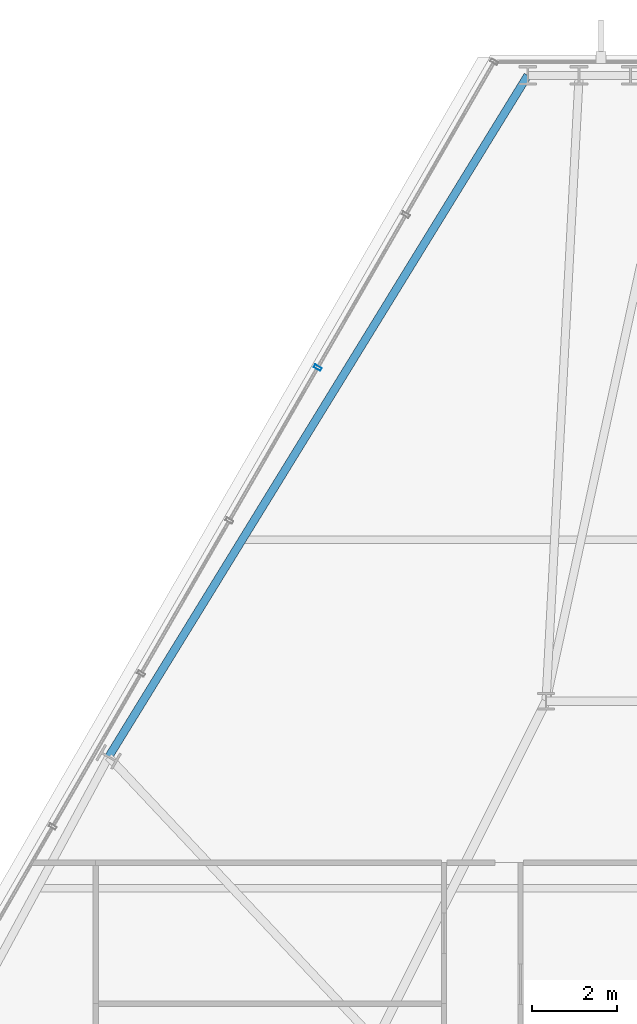
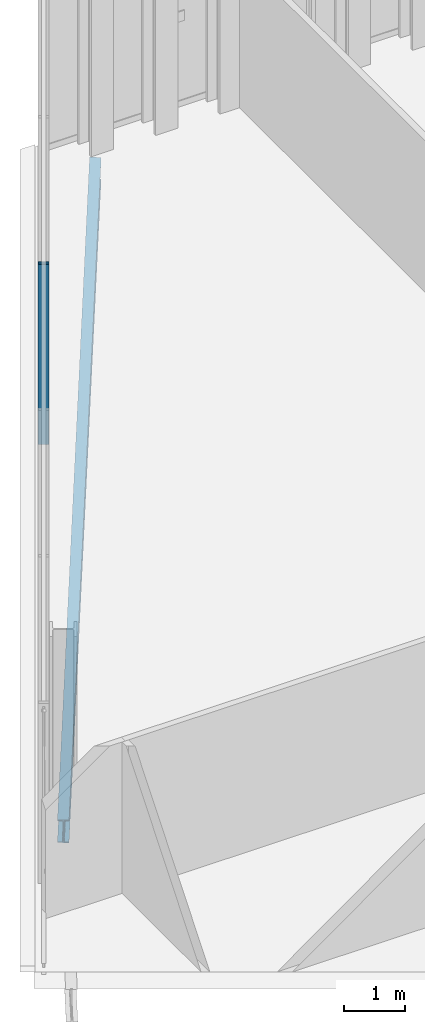
# One storey, part 22 of 35: 1 beam, 1 member, 1 element without a shape of its own.
"""IFC4 building model written with IfcOpenShell, lengths in metres."""

import ifcopenshell
import ifcopenshell.guid

model = None  # the IFC model being written
_history = None  # IfcOwnerHistory: only IFC2X3 demands one
_inside = {}  # id of a spatial element -> (the spatial element, [elements in it])
_under = {}  # id of a project, library or spatial element -> (it, [spatial elements below it])
_declared = {}  # id of a project -> (the project, [libraries it declares])
_typed = {}  # id of a type object -> (the type object, [elements of that type])
_made_of = {}  # id of a material, layer set ... -> (it, [elements and type objects made of it])


def new_model(schema):
    """Start an empty IFC model of exactly this schema.

    Asked for "IFC4X3", IfcOpenShell would pick the latest addendum, in which some entities
    have other attributes; the version numbers below select the first issue.
    IFC2X3 requires an IfcOwnerHistory on every rooted entity: one is made here for all.
    """
    global model, _history
    if schema == "IFC4X3":
        model = ifcopenshell.file(schema_version=(4, 3, 0, 0))
    else:
        model = ifcopenshell.file(schema=schema)
    _inside.clear()
    _under.clear()
    _declared.clear()
    _typed.clear()
    _made_of.clear()
    _history = None
    if model.schema == "IFC2X3":
        org = make("IfcOrganization", Name="unknown")
        user = make(
            "IfcPersonAndOrganization",
            ThePerson=make("IfcPerson", FamilyName="unknown"),
            TheOrganization=org,
        )
        app = make(
            "IfcApplication",
            ApplicationDeveloper=org,
            Version="unknown",
            ApplicationFullName="unknown",
            ApplicationIdentifier="unknown",
        )
        _history = make(
            "IfcOwnerHistory",
            OwningUser=user,
            OwningApplication=app,
            ChangeAction="ADDED",
            CreationDate=0,
        )
    return model


def make(cls, **values):
    """One entity of the class cls with the attributes given. An attribute that is None is left unset."""
    return model.create_entity(
        cls, **{name: value for name, value in values.items() if value is not None}
    )


def rooted(cls, **values):
    """An entity with a GlobalId (a new one), such as an element, a storey or a relation."""
    return make(cls, GlobalId=ifcopenshell.guid.new(), OwnerHistory=_history, **values)


def si_unit(unit_type, name, prefix=None):
    """IfcSIUnit, for example si_unit("LENGTHUNIT", "METRE", prefix="MILLI")."""
    return make("IfcSIUnit", UnitType=unit_type, Prefix=prefix, Name=name)


def assignment(units):
    """IfcUnitAssignment: the units of a project."""
    return None if units is None else make("IfcUnitAssignment", Units=units)


def point(xyz):
    """IfcCartesianPoint."""
    return None if xyz is None else make("IfcCartesianPoint", Coordinates=xyz)


def direction(xyz):
    """IfcDirection."""
    return None if xyz is None else make("IfcDirection", DirectionRatios=xyz)


def frame(location, z_axis=None, x_axis=None):
    """IfcAxis2Placement3D, a coordinate frame: its origin and axes. An axis left out is left unset."""
    return make(
        "IfcAxis2Placement3D",
        Location=point(location),
        Axis=direction(z_axis),
        RefDirection=direction(x_axis),
    )


def frame_2d(location, x_axis=None):
    """IfcAxis2Placement2D, a coordinate frame in the plane: its origin and x axis."""
    return make(
        "IfcAxis2Placement2D", Location=point(location), RefDirection=direction(x_axis)
    )


def origin():
    """The frame at (0, 0, 0) with its axes left unset."""
    return frame((0.0, 0.0, 0.0))


def origin_2d():
    """The frame at (0, 0) in the plane with its x axis left unset."""
    return frame_2d((0.0, 0.0))


def place(relative_to, where):
    """IfcLocalPlacement: puts the frame where relative to a parent placement (None: the world)."""
    return make(
        "IfcLocalPlacement", PlacementRelTo=relative_to, RelativePlacement=where
    )


def context(
    kind, dimensions, precision=None, world=None, true_north=None, identifier=None
):
    """IfcGeometricRepresentationContext, for example the 3D "Model" context."""
    return make(
        "IfcGeometricRepresentationContext",
        ContextIdentifier=identifier,
        ContextType=kind,
        CoordinateSpaceDimension=dimensions,
        Precision=precision,
        WorldCoordinateSystem=world,
        TrueNorth=true_north,
    )


def subcontext(parent, identifier, kind, view, scale=None):
    """IfcGeometricRepresentationSubContext, for example "Body" below "Model"."""
    return make(
        "IfcGeometricRepresentationSubContext",
        ContextIdentifier=identifier,
        ContextType=kind,
        ParentContext=parent,
        TargetScale=scale,
        TargetView=view,
    )


def project(units=None, contexts=None):
    """IfcProject with its units and contexts."""
    return rooted(
        "IfcProject",
        Name="project",
        RepresentationContexts=contexts,
        UnitsInContext=assignment(units),
    )


def spatial(cls, under=None, at=None, **own):
    """A site, building, storey or space (cls), placed at a placement, below another one or the project."""
    s = rooted(cls, ObjectPlacement=at, **own)
    if under is not None:
        _under.setdefault(under.id(), (under, []))[1].append(s)
    return s


def profile(cls, at=None, kind="AREA", **sizes):
    """A parametric profile (cls). Its sizes go by their IFC names, for example OverallWidth=200.0."""
    return make(cls, ProfileType=kind, Position=at, **sizes)


def hollow_rectangle(**sizes):
    """IfcRectangleHollowProfileDef."""
    return profile("IfcRectangleHollowProfileDef", **sizes)


def i_section(**sizes):
    """IfcIShapeProfileDef."""
    return profile("IfcIShapeProfileDef", **sizes)


def extrude(swept, where, along, depth):
    """IfcExtrudedAreaSolid: the profile swept, set in the frame where, extruded along a direction by depth."""
    return make(
        "IfcExtrudedAreaSolid",
        SweptArea=swept,
        Position=where,
        ExtrudedDirection=direction(along),
        Depth=depth,
    )


def shape(context_of_items, identifier, shape_type, items):
    """IfcShapeRepresentation: the items that make up one representation, for example the "Body"."""
    return make(
        "IfcShapeRepresentation",
        ContextOfItems=context_of_items,
        RepresentationIdentifier=identifier,
        RepresentationType=shape_type,
        Items=items,
    )


def material(Name=None, Category=None):
    """IfcMaterial."""
    return make("IfcMaterial", Name=Name, Category=Category)


def layer(
    of_material, thickness, ventilated=None, Name=None, Category=None, Priority=None
):
    """IfcMaterialLayer: one layer of a wall or slab, of a material (None: an air gap)."""
    return make(
        "IfcMaterialLayer",
        Material=of_material,
        LayerThickness=thickness,
        IsVentilated=ventilated,
        Name=Name,
        Category=Category,
        Priority=Priority,
    )


def layer_set(layers, Name=None):
    """IfcMaterialLayerSet."""
    return make("IfcMaterialLayerSet", MaterialLayers=layers, LayerSetName=Name)


def material_profile(
    of_material, cross_section, Name=None, Category=None, Priority=None
):
    """IfcMaterialProfile: a cross section and its material."""
    return make(
        "IfcMaterialProfile",
        Name=Name,
        Material=of_material,
        Profile=cross_section,
        Priority=Priority,
        Category=Category,
    )


def profile_set(profiles, Name=None, composite=None):
    """IfcMaterialProfileSet."""
    return make(
        "IfcMaterialProfileSet",
        Name=Name,
        MaterialProfiles=profiles,
        CompositeProfile=composite,
    )


def made_of(thing, what):
    """Note that an element or type object is made of a material, layer set ...; save() writes the relation."""
    if what is not None:
        _made_of.setdefault(what.id(), (what, []))[1].append(thing)
    return thing


def type_object(cls, material=None, **own):
    """A type object (cls), such as IfcWallType, which elements share."""
    return made_of(rooted(cls, **own), material)


def element(
    cls,
    number,
    at=None,
    inside=None,
    cuts=None,
    type_object=None,
    material=None,
    context=None,
    identifier="Body",
    shape_type=None,
    held_by="IfcProductDefinitionShape",
    body=None,
    shapes=None,
    **own,
):
    """One element of the class cls, such as IfcWall. Its Tag is "e" and its number.

    at: its placement. inside: the storey or other place that contains it. cuts: it is an
    opening in that element (IfcRelVoidsElement). A single representation is given by context,
    identifier, shape_type and body (its items); several are given by shapes. held_by: the class
    of the entity that holds the representations. save() writes the other relations.
    """
    e = rooted(cls, Tag="e%d" % number, ObjectPlacement=at, **own)
    if body is not None:
        shapes = [shape(context, identifier, shape_type, body)]
    if shapes is not None:
        e.Representation = make(held_by, Representations=shapes)
    if inside is not None:
        _inside.setdefault(inside.id(), (inside, []))[1].append(e)
    if cuts is not None:
        rooted(
            "IfcRelVoidsElement", RelatingBuildingElement=cuts, RelatedOpeningElement=e
        )
    if type_object is not None:
        _typed.setdefault(type_object.id(), (type_object, []))[1].append(e)
    return made_of(e, material)


def aggregate(whole, parts):
    """IfcRelAggregates: a whole, such as a stair, and the parts it consists of."""
    return rooted("IfcRelAggregates", RelatingObject=whole, RelatedObjects=parts)


def save(model, path):
    """Write the relations noted so far, then the file.

    IfcRelAggregates (storeys below a building ...), IfcRelContainedInSpatialStructure (elements
    in a storey), IfcRelDefinesByType, IfcRelAssociatesMaterial and IfcRelDeclares: one each for
    every whole, place, type object, material and project.
    """
    for whole, parts in _under.values():
        aggregate(whole, parts)
    for where, things in _inside.values():
        rooted(
            "IfcRelContainedInSpatialStructure",
            RelatedElements=things,
            RelatingStructure=where,
        )
    for kind, things in _typed.values():
        rooted("IfcRelDefinesByType", RelatedObjects=things, RelatingType=kind)
    for what, things in _made_of.values():
        rooted("IfcRelAssociatesMaterial", RelatedObjects=things, RelatingMaterial=what)
    for by, libraries in _declared.values():
        rooted("IfcRelDeclares", RelatingContext=by, RelatedDefinitions=libraries)
    model.write(path)


model = new_model("IFC4")

# Units and contexts
model_context = context("Model", 3, precision=1e-05, world=origin(), true_north=direction((0.0, 1.0)))
body_context = subcontext(model_context, "Body", "Model", "MODEL_VIEW")
ifc_project = project(units=[si_unit("LENGTHUNIT", "METRE"), si_unit("AREAUNIT", "SQUARE_METRE"), si_unit("VOLUMEUNIT", "CUBIC_METRE"), si_unit("PLANEANGLEUNIT", "RADIAN"), si_unit("MASSUNIT", "GRAM", prefix="KILO")], contexts=[model_context])

# Site, building, storey
site_placement = place(None, origin())
site = spatial("IfcSite", under=ifc_project, at=site_placement, CompositionType="ELEMENT")
building_placement = place(site_placement, origin())
building = spatial("IfcBuilding", under=site, at=building_placement, Name="Ndaravel Arena Tower", CompositionType="ELEMENT")
storey_placement = place(building_placement, frame((0.0, 0.0, 172.60009765625)))
storey = spatial("IfcBuildingStorey", under=building, at=storey_placement, Name="L41", CompositionType="ELEMENT", Elevation=172.60009765625)

# Beam
ifc_material_1 = material(Name="Steel S355", Category="steel")
ifc_material_profile_1 = material_profile(ifc_material_1, i_section(OverallWidth=0.18994140625, OverallDepth=0.449951171875, WebThickness=0.009521484375, FlangeThickness=0.0146484375, FilletRadius=0.02099609375, at=origin_2d()), Name="IPE 450")
ifc_profile_set_1 = profile_set([ifc_material_profile_1], Name="Steel S355")
beam_type = type_object("IfcBeamType", Name="BM-SPAN-IPE450", PredefinedType="SPANDREL", material=ifc_profile_set_1)
beam_placement = place(storey_placement, frame((37.770263671875, 45.92822265625, -0.445068359375), z_axis=(-0.523878923011, -0.851792741238, 0.0), x_axis=(0.851792741238, -0.523878923011, 0.0)))
element("IfcBeam", 1, at=beam_placement, inside=storey, type_object=beam_type, Name="L41 Perimeter Spandrel Beam SP-18", PredefinedType="SPANDREL", context=body_context, shape_type="SweptSolid", body=[
    extrude(i_section(OverallWidth=0.18994140625, OverallDepth=0.449951171875, WebThickness=0.009521484375, FlangeThickness=0.0146484375, FilletRadius=0.02099609375, at=origin_2d()), origin(), (0.0, 0.0, 1.0), 18.828369140625),
])

# Curtain wall, member
ifc_material_2 = material(Name="Aluminium", Category="aluminium")
ifc_layer = layer(ifc_material_2, 0.179931640625)
ifc_layer_set = layer_set([ifc_layer], Name="Aluminium")
curtain_wall_type = type_object("IfcCurtainWallType", Name="CW-SYS-03", PredefinedType="NOTDEFINED", material=ifc_layer_set)
curtain_wall_placement = place(storey_placement, origin())
curtain_wall = element("IfcCurtainWall", 2, at=curtain_wall_placement, inside=storey, type_object=curtain_wall_type, Name="L41 Faceted Crystal Curtain Wall CW-L41-E05", PredefinedType="NOTDEFINED")
ifc_material_3 = material(Name="Aluminium", Category="aluminium")
ifc_material_profile_2 = material_profile(ifc_material_3, hollow_rectangle(XDim=0.074951171875, YDim=0.179931640625, WallThickness=0.00390625, at=origin_2d()), Name="CW MULLION 75x180x4")
ifc_profile_set_2 = profile_set([ifc_material_profile_2], Name="Aluminium")
member_type = type_object("IfcMemberType", Name="MEM-CW-MUL180", PredefinedType="MULLION", material=ifc_profile_set_2)
member_placement = place(storey_placement, frame((32.824951171875, 39.04931640625, 0.0), z_axis=(0.0, 0.0, 1.0), x_axis=(-0.5, -0.866025403784, 0.0)))
member = element("IfcMember", 3, at=member_placement, type_object=member_type, Name="CW-L41-E05 Mullion 02", PredefinedType="MULLION", context=body_context, shape_type="SweptSolid", body=[
    extrude(hollow_rectangle(XDim=0.074951171875, YDim=0.179931640625, WallThickness=0.00390625, at=origin_2d()), origin(), (0.0, 0.0, 1.0), 3.579833984375),
])
aggregate(curtain_wall, [member])

save(model, "model.ifc")
